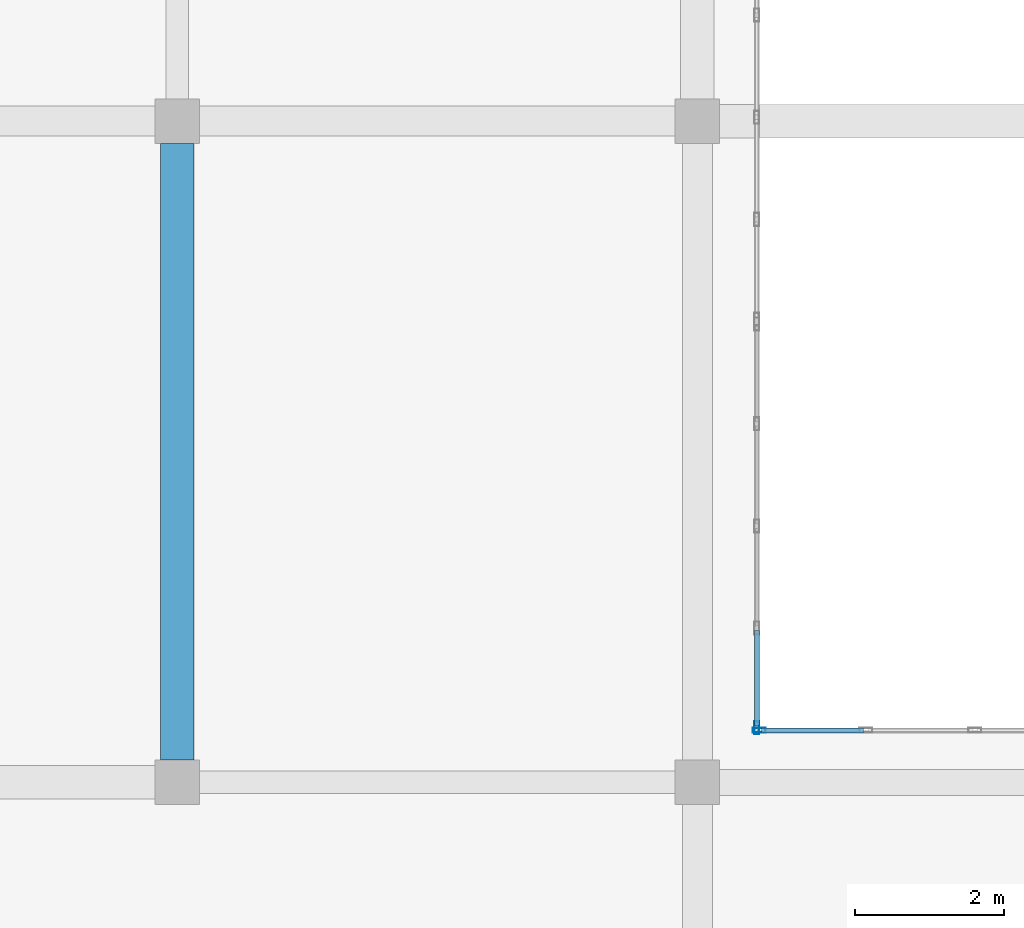
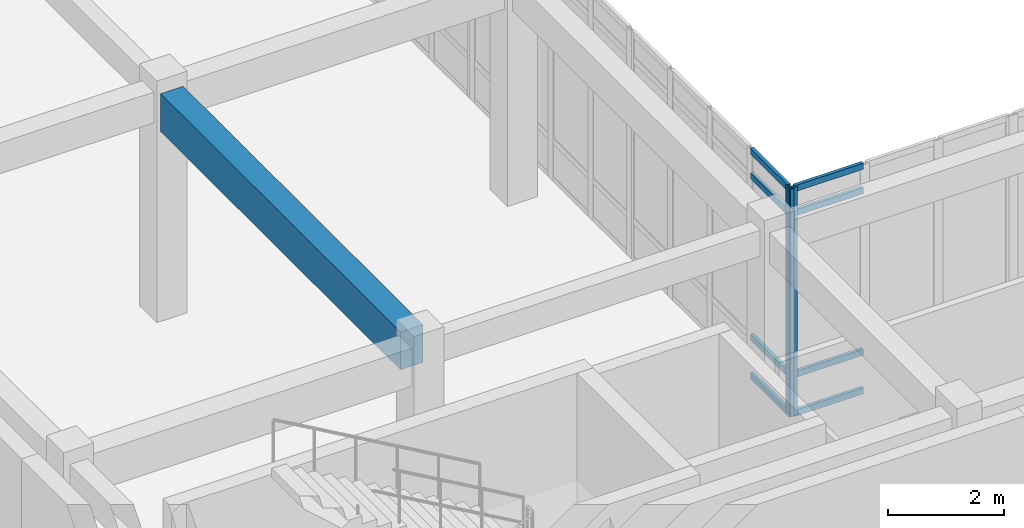
# One storey, part 46 of 121: 10 members, 1 beam, 2 elements without a shape of their own.
"""IFC4 building model written with IfcOpenShell, lengths in metres."""

import ifcopenshell
import ifcopenshell.guid

model = None  # the IFC model being written
_history = None  # IfcOwnerHistory: only IFC2X3 demands one
_inside = {}  # id of a spatial element -> (the spatial element, [elements in it])
_under = {}  # id of a project, library or spatial element -> (it, [spatial elements below it])
_declared = {}  # id of a project -> (the project, [libraries it declares])
_typed = {}  # id of a type object -> (the type object, [elements of that type])
_made_of = {}  # id of a material, layer set ... -> (it, [elements and type objects made of it])


def new_model(schema):
    """Start an empty IFC model of exactly this schema.

    Asked for "IFC4X3", IfcOpenShell would pick the latest addendum, in which some entities
    have other attributes; the version numbers below select the first issue.
    IFC2X3 requires an IfcOwnerHistory on every rooted entity: one is made here for all.
    """
    global model, _history
    if schema == "IFC4X3":
        model = ifcopenshell.file(schema_version=(4, 3, 0, 0))
    else:
        model = ifcopenshell.file(schema=schema)
    _inside.clear()
    _under.clear()
    _declared.clear()
    _typed.clear()
    _made_of.clear()
    _history = None
    if model.schema == "IFC2X3":
        org = make("IfcOrganization", Name="unknown")
        user = make(
            "IfcPersonAndOrganization",
            ThePerson=make("IfcPerson", FamilyName="unknown"),
            TheOrganization=org,
        )
        app = make(
            "IfcApplication",
            ApplicationDeveloper=org,
            Version="unknown",
            ApplicationFullName="unknown",
            ApplicationIdentifier="unknown",
        )
        _history = make(
            "IfcOwnerHistory",
            OwningUser=user,
            OwningApplication=app,
            ChangeAction="ADDED",
            CreationDate=0,
        )
    return model


def make(cls, **values):
    """One entity of the class cls with the attributes given. An attribute that is None is left unset."""
    return model.create_entity(
        cls, **{name: value for name, value in values.items() if value is not None}
    )


def rooted(cls, **values):
    """An entity with a GlobalId (a new one), such as an element, a storey or a relation."""
    return make(cls, GlobalId=ifcopenshell.guid.new(), OwnerHistory=_history, **values)


def si_unit(unit_type, name, prefix=None):
    """IfcSIUnit, for example si_unit("LENGTHUNIT", "METRE", prefix="MILLI")."""
    return make("IfcSIUnit", UnitType=unit_type, Prefix=prefix, Name=name)


def assignment(units):
    """IfcUnitAssignment: the units of a project."""
    return None if units is None else make("IfcUnitAssignment", Units=units)


def point(xyz):
    """IfcCartesianPoint."""
    return None if xyz is None else make("IfcCartesianPoint", Coordinates=xyz)


def direction(xyz):
    """IfcDirection."""
    return None if xyz is None else make("IfcDirection", DirectionRatios=xyz)


def frame(location, z_axis=None, x_axis=None):
    """IfcAxis2Placement3D, a coordinate frame: its origin and axes. An axis left out is left unset."""
    return make(
        "IfcAxis2Placement3D",
        Location=point(location),
        Axis=direction(z_axis),
        RefDirection=direction(x_axis),
    )


def frame_2d(location, x_axis=None):
    """IfcAxis2Placement2D, a coordinate frame in the plane: its origin and x axis."""
    return make(
        "IfcAxis2Placement2D", Location=point(location), RefDirection=direction(x_axis)
    )


def origin():
    """The frame at (0, 0, 0) with its axes left unset."""
    return frame((0.0, 0.0, 0.0))


def origin_2d():
    """The frame at (0, 0) in the plane with its x axis left unset."""
    return frame_2d((0.0, 0.0))


def place(relative_to, where):
    """IfcLocalPlacement: puts the frame where relative to a parent placement (None: the world)."""
    return make(
        "IfcLocalPlacement", PlacementRelTo=relative_to, RelativePlacement=where
    )


def context(
    kind, dimensions, precision=None, world=None, true_north=None, identifier=None
):
    """IfcGeometricRepresentationContext, for example the 3D "Model" context."""
    return make(
        "IfcGeometricRepresentationContext",
        ContextIdentifier=identifier,
        ContextType=kind,
        CoordinateSpaceDimension=dimensions,
        Precision=precision,
        WorldCoordinateSystem=world,
        TrueNorth=true_north,
    )


def subcontext(parent, identifier, kind, view, scale=None):
    """IfcGeometricRepresentationSubContext, for example "Body" below "Model"."""
    return make(
        "IfcGeometricRepresentationSubContext",
        ContextIdentifier=identifier,
        ContextType=kind,
        ParentContext=parent,
        TargetScale=scale,
        TargetView=view,
    )


def project(units=None, contexts=None):
    """IfcProject with its units and contexts."""
    return rooted(
        "IfcProject",
        Name="project",
        RepresentationContexts=contexts,
        UnitsInContext=assignment(units),
    )


def spatial(cls, under=None, at=None, **own):
    """A site, building, storey or space (cls), placed at a placement, below another one or the project."""
    s = rooted(cls, ObjectPlacement=at, **own)
    if under is not None:
        _under.setdefault(under.id(), (under, []))[1].append(s)
    return s


def profile(cls, at=None, kind="AREA", **sizes):
    """A parametric profile (cls). Its sizes go by their IFC names, for example OverallWidth=200.0."""
    return make(cls, ProfileType=kind, Position=at, **sizes)


def rectangle(**sizes):
    """IfcRectangleProfileDef."""
    return profile("IfcRectangleProfileDef", **sizes)


def hollow_rectangle(**sizes):
    """IfcRectangleHollowProfileDef."""
    return profile("IfcRectangleHollowProfileDef", **sizes)


def extrude(swept, where, along, depth):
    """IfcExtrudedAreaSolid: the profile swept, set in the frame where, extruded along a direction by depth."""
    return make(
        "IfcExtrudedAreaSolid",
        SweptArea=swept,
        Position=where,
        ExtrudedDirection=direction(along),
        Depth=depth,
    )


def shape(context_of_items, identifier, shape_type, items):
    """IfcShapeRepresentation: the items that make up one representation, for example the "Body"."""
    return make(
        "IfcShapeRepresentation",
        ContextOfItems=context_of_items,
        RepresentationIdentifier=identifier,
        RepresentationType=shape_type,
        Items=items,
    )


def material(Name=None, Category=None):
    """IfcMaterial."""
    return make("IfcMaterial", Name=Name, Category=Category)


def layer(
    of_material, thickness, ventilated=None, Name=None, Category=None, Priority=None
):
    """IfcMaterialLayer: one layer of a wall or slab, of a material (None: an air gap)."""
    return make(
        "IfcMaterialLayer",
        Material=of_material,
        LayerThickness=thickness,
        IsVentilated=ventilated,
        Name=Name,
        Category=Category,
        Priority=Priority,
    )


def layer_set(layers, Name=None):
    """IfcMaterialLayerSet."""
    return make("IfcMaterialLayerSet", MaterialLayers=layers, LayerSetName=Name)


def material_profile(
    of_material, cross_section, Name=None, Category=None, Priority=None
):
    """IfcMaterialProfile: a cross section and its material."""
    return make(
        "IfcMaterialProfile",
        Name=Name,
        Material=of_material,
        Profile=cross_section,
        Priority=Priority,
        Category=Category,
    )


def profile_set(profiles, Name=None, composite=None):
    """IfcMaterialProfileSet."""
    return make(
        "IfcMaterialProfileSet",
        Name=Name,
        MaterialProfiles=profiles,
        CompositeProfile=composite,
    )


def made_of(thing, what):
    """Note that an element or type object is made of a material, layer set ...; save() writes the relation."""
    if what is not None:
        _made_of.setdefault(what.id(), (what, []))[1].append(thing)
    return thing


def type_object(cls, material=None, **own):
    """A type object (cls), such as IfcWallType, which elements share."""
    return made_of(rooted(cls, **own), material)


def element(
    cls,
    number,
    at=None,
    inside=None,
    cuts=None,
    type_object=None,
    material=None,
    context=None,
    identifier="Body",
    shape_type=None,
    held_by="IfcProductDefinitionShape",
    body=None,
    shapes=None,
    **own,
):
    """One element of the class cls, such as IfcWall. Its Tag is "e" and its number.

    at: its placement. inside: the storey or other place that contains it. cuts: it is an
    opening in that element (IfcRelVoidsElement). A single representation is given by context,
    identifier, shape_type and body (its items); several are given by shapes. held_by: the class
    of the entity that holds the representations. save() writes the other relations.
    """
    e = rooted(cls, Tag="e%d" % number, ObjectPlacement=at, **own)
    if body is not None:
        shapes = [shape(context, identifier, shape_type, body)]
    if shapes is not None:
        e.Representation = make(held_by, Representations=shapes)
    if inside is not None:
        _inside.setdefault(inside.id(), (inside, []))[1].append(e)
    if cuts is not None:
        rooted(
            "IfcRelVoidsElement", RelatingBuildingElement=cuts, RelatedOpeningElement=e
        )
    if type_object is not None:
        _typed.setdefault(type_object.id(), (type_object, []))[1].append(e)
    return made_of(e, material)


def aggregate(whole, parts):
    """IfcRelAggregates: a whole, such as a stair, and the parts it consists of."""
    return rooted("IfcRelAggregates", RelatingObject=whole, RelatedObjects=parts)


def save(model, path):
    """Write the relations noted so far, then the file.

    IfcRelAggregates (storeys below a building ...), IfcRelContainedInSpatialStructure (elements
    in a storey), IfcRelDefinesByType, IfcRelAssociatesMaterial and IfcRelDeclares: one each for
    every whole, place, type object, material and project.
    """
    for whole, parts in _under.values():
        aggregate(whole, parts)
    for where, things in _inside.values():
        rooted(
            "IfcRelContainedInSpatialStructure",
            RelatedElements=things,
            RelatingStructure=where,
        )
    for kind, things in _typed.values():
        rooted("IfcRelDefinesByType", RelatedObjects=things, RelatingType=kind)
    for what, things in _made_of.values():
        rooted("IfcRelAssociatesMaterial", RelatedObjects=things, RelatingMaterial=what)
    for by, libraries in _declared.values():
        rooted("IfcRelDeclares", RelatingContext=by, RelatedDefinitions=libraries)
    model.write(path)


model = new_model("IFC4")

# Units and contexts
model_context = context("Model", 3, precision=1e-05, world=origin(), true_north=direction((0.0, 1.0)))
body_context = subcontext(model_context, "Body", "Model", "MODEL_VIEW")
ifc_project = project(units=[si_unit("LENGTHUNIT", "METRE"), si_unit("AREAUNIT", "SQUARE_METRE"), si_unit("VOLUMEUNIT", "CUBIC_METRE"), si_unit("PLANEANGLEUNIT", "RADIAN"), si_unit("MASSUNIT", "GRAM", prefix="KILO")], contexts=[model_context])

# Site, building, storey
site_placement = place(None, origin())
site = spatial("IfcSite", under=ifc_project, at=site_placement, CompositionType="ELEMENT")
building_placement = place(site_placement, origin())
building = spatial("IfcBuilding", under=site, at=building_placement, Name="Valcora Specialist Clinic", CompositionType="ELEMENT")
storey_placement = place(building_placement, origin())
storey = spatial("IfcBuildingStorey", under=building, at=storey_placement, Name="L00", CompositionType="ELEMENT", Elevation=0.0)

# Beam
ifc_material_1 = material(Name="Concrete C40/50", Category="concrete")
ifc_material_profile_1 = material_profile(ifc_material_1, rectangle(XDim=0.449951171875, YDim=0.800048828125, at=origin_2d()), Name="RC-BM-450X800")
ifc_profile_set_1 = profile_set([ifc_material_profile_1], Name="Concrete C40/50")
beam_type = type_object("IfcBeamType", Name="TY-BM-RC450X800", PredefinedType="BEAM", material=ifc_profile_set_1)
beam_placement = place(storey_placement, frame((69.0, 81.60009765625, 4.409912109375), z_axis=(0.0, 1.0, 0.0), x_axis=(-1.0, 0.0, 0.0)))
element("IfcBeam", 1, at=beam_placement, inside=storey, type_object=beam_type, Name="Beam BM-L00-0580", PredefinedType="BEAM", context=body_context, shape_type="SweptSolid", body=[
    extrude(rectangle(XDim=0.449951171875, YDim=0.800048828125, at=origin_2d()), origin(), (0.0, 0.0, 1.0), 8.2998046875),
])

# Curtain wall, member
ifc_material_2 = material(Name="Anodized Bronze Aluminium 6063-T6", Category="aluminium")
ifc_layer = layer(ifc_material_2, 0.175048828125)
ifc_layer_set = layer_set([ifc_layer], Name="Anodized Bronze Aluminium 6063-T6")
curtain_wall_type = type_object("IfcCurtainWallType", Name="TY-CW-CRT15", PredefinedType="NOTDEFINED", material=ifc_layer_set)
curtain_wall_1_placement = place(storey_placement, origin())
curtain_wall_1 = element("IfcCurtainWall", 2, at=curtain_wall_1_placement, inside=storey, type_object=curtain_wall_type, Name="Curtain wall CW-L00-029", PredefinedType="NOTDEFINED")
ifc_material_profile_2 = material_profile(ifc_material_2, hollow_rectangle(XDim=0.06494140625, YDim=0.175048828125, WallThickness=0.00390625, at=origin_2d()), Name="AL-MUL-65X175")
ifc_profile_set_2 = profile_set([ifc_material_profile_2], Name="Anodized Bronze Aluminium 6063-T6")
member_type_1 = type_object("IfcMemberType", Name="TY-CWM-65X175", PredefinedType="MULLION", material=ifc_profile_set_2)
member_1_placement = place(storey_placement, frame((76.83251953125, 82.0, 0.0), z_axis=(0.0, 0.0, 1.0), x_axis=(0.0, 1.0, 0.0)))
member_1 = element("IfcMember", 3, at=member_1_placement, type_object=member_type_1, Name="CW-CRT-15 mullion 1", PredefinedType="MULLION", context=body_context, shape_type="SweptSolid", body=[
    extrude(hollow_rectangle(XDim=0.06494140625, YDim=0.175048828125, WallThickness=0.00390625, at=origin_2d()), origin(), (0.0, 0.0, 1.0), 4.81005859375),
])

curtain_wall_2_placement = place(storey_placement, origin())
curtain_wall_2 = element("IfcCurtainWall", 4, at=curtain_wall_2_placement, inside=storey, type_object=curtain_wall_type, Name="Curtain wall CW-L00-040", PredefinedType="NOTDEFINED")
member_2_placement = place(storey_placement, frame((76.800048828125, 82.032470703125, 0.0), z_axis=(0.0, 0.0, 1.0), x_axis=(1.0, 0.0, 0.0)))
member_2 = element("IfcMember", 5, at=member_2_placement, type_object=member_type_1, Name="CW-CRT-15 mullion 5", PredefinedType="MULLION", context=body_context, shape_type="SweptSolid", body=[
    extrude(hollow_rectangle(XDim=0.06494140625, YDim=0.175048828125, WallThickness=0.00390625, at=origin_2d()), origin(), (0.0, 0.0, 1.0), 4.81005859375),
])

# Member
ifc_material_profile_3 = material_profile(ifc_material_2, hollow_rectangle(XDim=0.06494140625, YDim=0.1298828125, WallThickness=0.00390625, at=origin_2d()), Name="AL-TRN-65X130")
ifc_profile_set_3 = profile_set([ifc_material_profile_3], Name="Anodized Bronze Aluminium 6063-T6")
member_type_2 = type_object("IfcMemberType", Name="TY-CWT-65X130", PredefinedType="USERDEFINED", material=ifc_profile_set_3)
member_3_placement = place(storey_placement, frame((76.864990234375, 82.0, 0.032470703125), z_axis=(1.0, 0.0, 0.0), x_axis=(0.0, 1.0, 0.0)))
member_3 = element("IfcMember", 6, at=member_3_placement, type_object=member_type_2, Name="CW-CRT-15 transom 1.1", ObjectType="TRANSOM", PredefinedType="USERDEFINED", context=body_context, shape_type="SweptSolid", body=[
    extrude(hollow_rectangle(XDim=0.06494140625, YDim=0.1298828125, WallThickness=0.00390625, at=origin_2d()), origin(), (0.0, 0.0, 1.0), 1.369140625),
])

member_4_placement = place(storey_placement, frame((76.864990234375, 82.0, 0.85009765625), z_axis=(1.0, 0.0, 0.0), x_axis=(0.0, 1.0, 0.0)))
member_4 = element("IfcMember", 7, at=member_4_placement, type_object=member_type_2, Name="CW-CRT-15 transom 1.2", ObjectType="TRANSOM", PredefinedType="USERDEFINED", context=body_context, shape_type="SweptSolid", body=[
    extrude(hollow_rectangle(XDim=0.06494140625, YDim=0.1298828125, WallThickness=0.00390625, at=origin_2d()), origin(), (0.0, 0.0, 1.0), 1.369140625),
])

member_5_placement = place(storey_placement, frame((76.864990234375, 82.0, 4.260009765625), z_axis=(1.0, 0.0, 0.0), x_axis=(0.0, 1.0, 0.0)))
member_5 = element("IfcMember", 8, at=member_5_placement, type_object=member_type_2, Name="CW-CRT-15 transom 1.3", ObjectType="TRANSOM", PredefinedType="USERDEFINED", context=body_context, shape_type="SweptSolid", body=[
    extrude(hollow_rectangle(XDim=0.06494140625, YDim=0.1298828125, WallThickness=0.00390625, at=origin_2d()), origin(), (0.0, 0.0, 1.0), 1.369140625),
])

member_6_placement = place(storey_placement, frame((76.864990234375, 82.0, 4.777587890625), z_axis=(1.0, 0.0, 0.0), x_axis=(0.0, 1.0, 0.0)))
member_6 = element("IfcMember", 9, at=member_6_placement, type_object=member_type_2, Name="CW-CRT-15 transom 1.4", ObjectType="TRANSOM", PredefinedType="USERDEFINED", context=body_context, shape_type="SweptSolid", body=[
    extrude(hollow_rectangle(XDim=0.06494140625, YDim=0.1298828125, WallThickness=0.00390625, at=origin_2d()), origin(), (0.0, 0.0, 1.0), 1.369140625),
])

aggregate(curtain_wall_1, [member_1, member_3, member_4, member_5, member_6])

member_7_placement = place(storey_placement, frame((76.800048828125, 83.342529296875, 0.032470703125), z_axis=(0.0, -1.0, 0.0), x_axis=(1.0, 0.0, 0.0)))
member_7 = element("IfcMember", 10, at=member_7_placement, type_object=member_type_2, Name="CW-CRT-15 transom 4.1", ObjectType="TRANSOM", PredefinedType="USERDEFINED", context=body_context, shape_type="SweptSolid", body=[
    extrude(hollow_rectangle(XDim=0.06494140625, YDim=0.1298828125, WallThickness=0.00390625, at=origin_2d()), origin(), (0.0, 0.0, 1.0), 1.277587890625),
])

member_8_placement = place(storey_placement, frame((76.800048828125, 83.342529296875, 0.85009765625), z_axis=(0.0, -1.0, 0.0), x_axis=(1.0, 0.0, 0.0)))
member_8 = element("IfcMember", 11, at=member_8_placement, type_object=member_type_2, Name="CW-CRT-15 transom 4.2", ObjectType="TRANSOM", PredefinedType="USERDEFINED", context=body_context, shape_type="SweptSolid", body=[
    extrude(hollow_rectangle(XDim=0.06494140625, YDim=0.1298828125, WallThickness=0.00390625, at=origin_2d()), origin(), (0.0, 0.0, 1.0), 1.277587890625),
])

member_9_placement = place(storey_placement, frame((76.800048828125, 83.342529296875, 4.260009765625), z_axis=(0.0, -1.0, 0.0), x_axis=(1.0, 0.0, 0.0)))
member_9 = element("IfcMember", 12, at=member_9_placement, type_object=member_type_2, Name="CW-CRT-15 transom 4.3", ObjectType="TRANSOM", PredefinedType="USERDEFINED", context=body_context, shape_type="SweptSolid", body=[
    extrude(hollow_rectangle(XDim=0.06494140625, YDim=0.1298828125, WallThickness=0.00390625, at=origin_2d()), origin(), (0.0, 0.0, 1.0), 1.277587890625),
])

member_10_placement = place(storey_placement, frame((76.800048828125, 83.342529296875, 4.777587890625), z_axis=(0.0, -1.0, 0.0), x_axis=(1.0, 0.0, 0.0)))
member_10 = element("IfcMember", 13, at=member_10_placement, type_object=member_type_2, Name="CW-CRT-15 transom 4.4", ObjectType="TRANSOM", PredefinedType="USERDEFINED", context=body_context, shape_type="SweptSolid", body=[
    extrude(hollow_rectangle(XDim=0.06494140625, YDim=0.1298828125, WallThickness=0.00390625, at=origin_2d()), origin(), (0.0, 0.0, 1.0), 1.277587890625),
])

aggregate(curtain_wall_2, [member_2, member_7, member_8, member_9, member_10])

save(model, "model.ifc")
